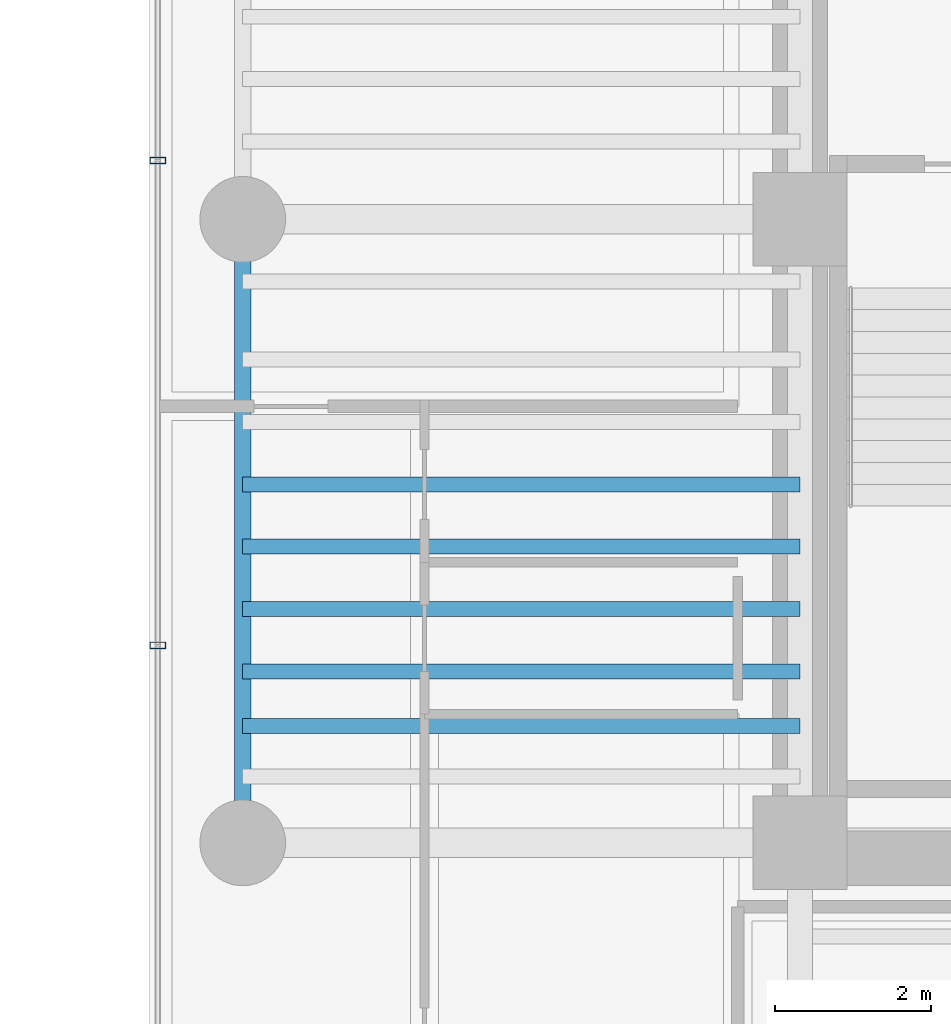
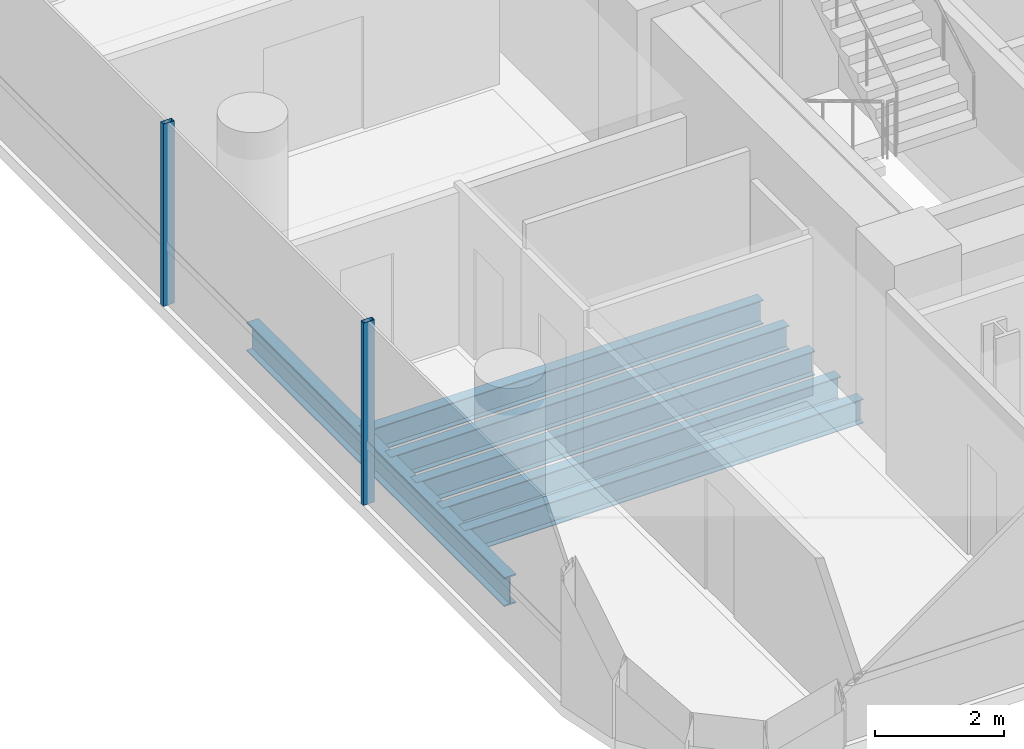
# One storey, part 4 of 35: 6 beams, 2 members, 1 element without a shape of its own.
"""IFC4 building model written with IfcOpenShell, lengths in metres."""

from ifc_helpers import new_model, si_unit, direction, frame, origin, origin_2d, place, context, subcontext, project, spatial, hollow_rectangle, i_section, extrude, source, transform, mapped, material, material_profile, profile_set, type_object, element, aggregate, save


model = new_model("IFC4")

# Units and contexts
model_context = context("Model", 3, precision=1e-05, world=origin(), true_north=direction((0.0, 1.0)))
body_context = subcontext(model_context, "Body", "Model", "MODEL_VIEW")
ifc_project = project(units=[si_unit("LENGTHUNIT", "METRE"), si_unit("AREAUNIT", "SQUARE_METRE"), si_unit("VOLUMEUNIT", "CUBIC_METRE"), si_unit("PLANEANGLEUNIT", "RADIAN"), si_unit("MASSUNIT", "GRAM", prefix="KILO")], contexts=[model_context])

# Site, building, storey
site_placement = place(None, origin())
site = spatial("IfcSite", under=ifc_project, at=site_placement, CompositionType="ELEMENT")
building_placement = place(site_placement, origin())
building = spatial("IfcBuilding", under=site, at=building_placement, Name="Valdorenza Pilgrim Sanctuary Tower", CompositionType="ELEMENT")
storey_placement = place(building_placement, frame((0.0, 0.0, 150.10009765625)))
storey = spatial("IfcBuildingStorey", under=building, at=storey_placement, Name="L38", CompositionType="ELEMENT", Elevation=150.10009765625)

# Beams
ifc_material_1 = material(Name="Steel ASTM A992 Grade 50", Category="steel")
ifc_material_profile_1 = material_profile(ifc_material_1, i_section(OverallWidth=0.214111328125, OverallDepth=0.549072265625, WebThickness=0.0146484375, FlangeThickness=0.023681640625, at=origin_2d()), Name="W21X93")
ifc_profile_set_1 = profile_set([ifc_material_profile_1], Name="Steel ASTM A992 Grade 50")
beam_type_1 = type_object("IfcBeamType", Name="STR-BM-SPN-W21A", PredefinedType="SPANDREL", material=ifc_profile_set_1)
shared_shape_1 = source(origin(), body_context, "Body", "SweptSolid", [
    extrude(i_section(OverallWidth=0.214111328125, OverallDepth=0.549072265625, WebThickness=0.0146484375, FlangeThickness=0.023681640625, at=origin_2d()), origin(), (0.0, 0.0, 1.0), 8.0),
])
beam_placement = place(storey_placement, frame((-29.800048828125, -10.60009765625, -0.5146484375), z_axis=(0.0, 1.0, 0.0), x_axis=(-1.0, 0.0, 0.0)))
element("IfcBeam", 1, at=beam_placement, inside=storey, type_object=beam_type_1, Name="L38 Spandrel Beam WA-W-S1M0", PredefinedType="SPANDREL", context=body_context, shape_type="MappedRepresentation", body=[
    mapped(shared_shape_1, transform((0.0, 0.0, 0.0), x_axis=(1.0, 0.0, 0.0), y_axis=(0.0, 1.0, 0.0), z_axis=(0.0, 0.0, 1.0), scale=1.0)),
])
ifc_material_profile_2 = material_profile(ifc_material_1, i_section(OverallWidth=0.19091796875, OverallDepth=0.45703125, WebThickness=0.009033203125, FlangeThickness=0.014404296875, at=origin_2d()), Name="W18X50")
ifc_profile_set_2 = profile_set([ifc_material_profile_2], Name="Steel ASTM A992 Grade 50")
beam_type_2 = type_object("IfcBeamType", Name="STR-BM-JST-W18B", PredefinedType="JOIST", material=ifc_profile_set_2)
shared_shape_2 = source(origin(), body_context, "Body", "SweptSolid", [
    extrude(i_section(OverallWidth=0.19091796875, OverallDepth=0.45703125, WebThickness=0.009033203125, FlangeThickness=0.014404296875, at=origin_2d()), origin(), (0.0, 0.0, 1.0), 7.150146484375),
])
for number, where, z_axis, x_axis, name in (
    (2, (-29.800048828125, -9.10009765625, -0.468505859375), (1.0, 0.0, 0.0), (0.0, 1.0, 0.0), "L38 Composite Floor Joist JST-WA-2"),
    (3, (-29.800048828125, -8.39990234375, -0.468505859375), (1.0, 0.0, 0.0), (0.0, 1.0, 0.0), "L38 Composite Floor Joist JST-WA-3"),
    (4, (-29.800048828125, -7.60009765625, -0.468505859375), (1.0, 0.0, 0.0), (0.0, 1.0, 0.0), "L38 Composite Floor Joist JST-WA-4"),
    (5, (-29.800048828125, -6.800048828125, -0.468505859375), (1.0, 0.0, 0.0), (0.0, 1.0, 0.0), "L38 Composite Floor Joist JST-WA-5"),
    (6, (-29.800048828125, -6.0, -0.468505859375), (1.0, 0.0, 0.0), (0.0, 1.0, 0.0), "L38 Composite Floor Joist JST-WA-6"),
):
    element("IfcBeam", number, at=place(storey_placement, frame(where, z_axis=z_axis, x_axis=x_axis)), inside=storey, type_object=beam_type_2, Name=name, PredefinedType="JOIST", context=body_context, shape_type="MappedRepresentation", body=[
        mapped(shared_shape_2, transform((0.0, 0.0, 0.0), x_axis=(1.0, 0.0, 0.0), y_axis=(0.0, 1.0, 0.0), z_axis=(0.0, 0.0, 1.0), scale=1.0)),
    ])

# Curtain wall, members
ifc_material_2 = material(Name="Curtain-wall IGU glazing", Category="glass")
curtain_wall_type = type_object("IfcCurtainWallType", Name="CW-SYS-02", PredefinedType="NOTDEFINED", material=ifc_material_2)
curtain_wall_placement = place(storey_placement, origin())
curtain_wall = element("IfcCurtainWall", 7, at=curtain_wall_placement, inside=storey, type_object=curtain_wall_type, Name="L38 Curtain Wall CW-L38-1-1S1", PredefinedType="NOTDEFINED")
ifc_material_3 = material(Name="Anodised aluminium AW-6060", Category="aluminium")
ifc_material_profile_3 = material_profile(ifc_material_3, hollow_rectangle(XDim=0.0849609375, YDim=0.199951171875, WallThickness=0.0048828125, at=origin_2d()), Name="ALU-M 200x85x5")
ifc_profile_set_3 = profile_set([ifc_material_profile_3], Name="Anodised aluminium AW-6060")
member_type = type_object("IfcMemberType", Name="CW-MUL-02", PredefinedType="MULLION", material=ifc_profile_set_3)
shared_shape_3 = source(origin(), body_context, "Body", "SweptSolid", [
    extrude(hollow_rectangle(XDim=0.0849609375, YDim=0.199951171875, WallThickness=0.0048828125, at=origin_2d()), origin(), (0.0, 0.0, 1.0), 3.4599609375),
])
member_1_placement = place(storey_placement, frame((-30.889892578125, -8.06689453125, 0.0), z_axis=(0.0, 0.0, 1.0), x_axis=(0.0, 1.0, 0.0)))
member_1 = element("IfcMember", 8, at=member_1_placement, type_object=member_type, Name="CW-L38-1-1S1 Mullion 2", PredefinedType="MULLION", context=body_context, shape_type="MappedRepresentation", body=[
    mapped(shared_shape_3, transform((0.0, 0.0, 0.0), x_axis=(1.0, 0.0, 0.0), y_axis=(0.0, 1.0, 0.0), z_axis=(0.0, 0.0, 1.0), scale=1.0)),
])
member_2_placement = place(storey_placement, frame((-30.889892578125, -1.844482421875, 0.0), z_axis=(0.0, 0.0, 1.0), x_axis=(0.0, 1.0, 0.0)))
member_2 = element("IfcMember", 9, at=member_2_placement, type_object=member_type, Name="CW-L38-1-1S1 Mullion 3", PredefinedType="MULLION", context=body_context, shape_type="MappedRepresentation", body=[
    mapped(shared_shape_3, transform((0.0, 0.0, 0.0), x_axis=(1.0, 0.0, 0.0), y_axis=(0.0, 1.0, 0.0), z_axis=(0.0, 0.0, 1.0), scale=1.0)),
])
aggregate(curtain_wall, [member_1, member_2])

save(model, "model.ifc")
